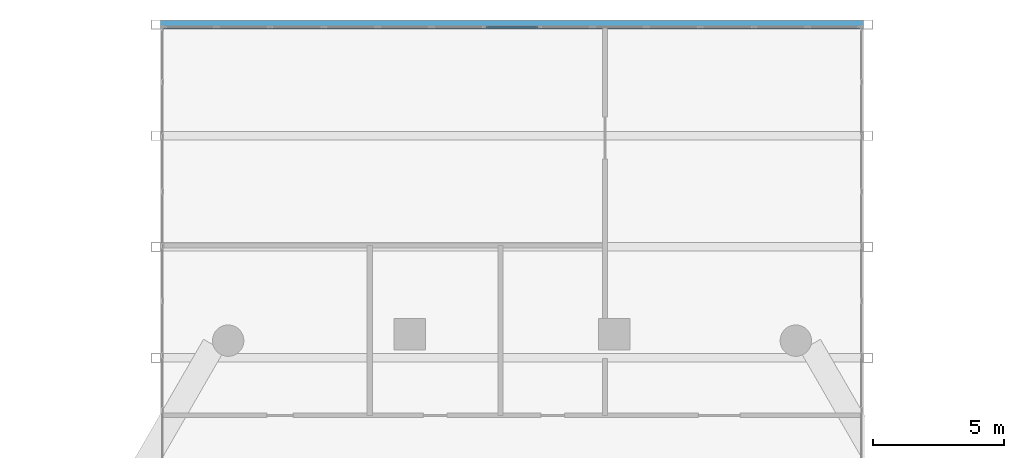
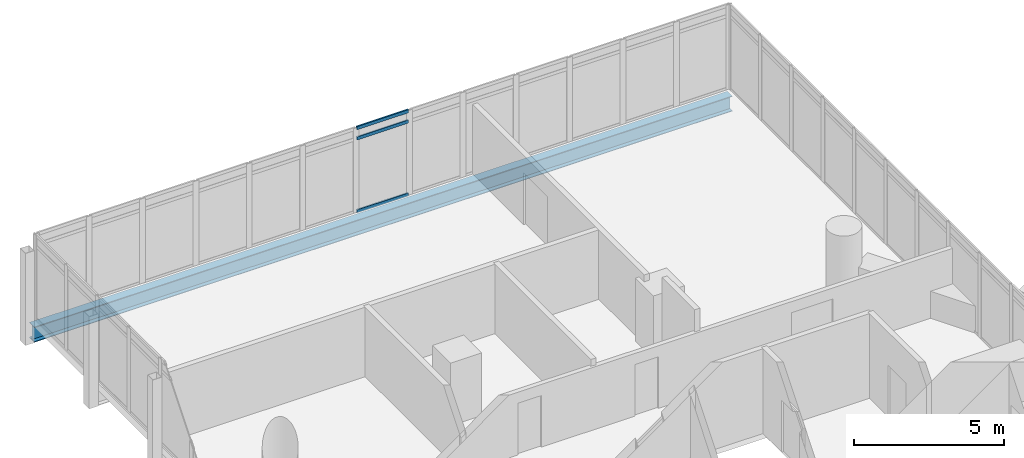
# One storey, part 16 of 28: 3 members, 1 beam, 1 element without a shape of its own.
"""IFC4 building model written with IfcOpenShell, lengths in metres."""

from ifc_helpers import new_model, si_unit, direction, frame, origin, origin_2d, place, context, subcontext, project, spatial, hollow_rectangle, i_section, extrude, material, material_profile, profile_set, type_object, element, aggregate, save


model = new_model("IFC4")

# Units and contexts
model_context = context("Model", 3, precision=1e-05, world=origin(), true_north=direction((0.0, 1.0)))
body_context = subcontext(model_context, "Body", "Model", "MODEL_VIEW")
ifc_project = project(units=[si_unit("LENGTHUNIT", "METRE"), si_unit("AREAUNIT", "SQUARE_METRE"), si_unit("VOLUMEUNIT", "CUBIC_METRE"), si_unit("PLANEANGLEUNIT", "RADIAN"), si_unit("MASSUNIT", "GRAM", prefix="KILO")], contexts=[model_context])

# Site, building, storey
site_placement = place(None, origin())
site = spatial("IfcSite", under=ifc_project, at=site_placement, CompositionType="ELEMENT")
building_placement = place(site_placement, origin())
building = spatial("IfcBuilding", under=site, at=building_placement, Name="Ostrander Bayou Hotel Tower", CompositionType="ELEMENT")
storey_placement = place(building_placement, frame((0.0, 0.0, 100.5)))
storey = spatial("IfcBuildingStorey", under=building, at=storey_placement, Name="L25", CompositionType="ELEMENT", Elevation=100.5)

# Curtain wall, members
ifc_material_1 = material(Name="Aluminium and clear glass", Category="aluminium")
curtain_wall_type = type_object("IfcCurtainWallType", Name="CW-BAR glazed wall", PredefinedType="NOTDEFINED", material=ifc_material_1)
curtain_wall_placement = place(storey_placement, origin())
curtain_wall = element("IfcCurtainWall", 1, at=curtain_wall_placement, inside=storey, type_object=curtain_wall_type, Name="CW-BAR L25:SB2N:T", PredefinedType="NOTDEFINED")
ifc_material_2 = material(Name="Aluminium", Category="aluminium")
ifc_material_profile_1 = material_profile(ifc_material_2, hollow_rectangle(XDim=0.06005859375, YDim=0.1298828125, WallThickness=0.00390625, at=origin_2d()))
ifc_profile_set_1 = profile_set([ifc_material_profile_1], Name="Aluminium")
member_type = type_object("IfcMemberType", Name="CW-BR transom 60 x 130 mm", PredefinedType="USERDEFINED", material=ifc_profile_set_1)
member_1_placement = place(storey_placement, frame((-0.998291015625, 31.4453125, 0.030029296875), z_axis=(1.0, 0.0, 0.0), x_axis=(0.0, 1.0, 0.0)))
member_1 = element("IfcMember", 2, at=member_1_placement, type_object=member_type, Name="CW-BAR transom 7.1", ObjectType="TRANSOM", PredefinedType="USERDEFINED", context=body_context, shape_type="SweptSolid", body=[
    extrude(hollow_rectangle(XDim=0.06005859375, YDim=0.1298828125, WallThickness=0.00390625, at=origin_2d()), origin(), (0.0, 0.0, 1.0), 1.99658203125),
])
member_2_placement = place(storey_placement, frame((-0.998291015625, 31.4453125, 3.0), z_axis=(1.0, 0.0, 0.0), x_axis=(0.0, 1.0, 0.0)))
member_2 = element("IfcMember", 3, at=member_2_placement, type_object=member_type, Name="CW-BAR transom 7.2", ObjectType="TRANSOM", PredefinedType="USERDEFINED", context=body_context, shape_type="SweptSolid", body=[
    extrude(hollow_rectangle(XDim=0.06005859375, YDim=0.1298828125, WallThickness=0.00390625, at=origin_2d()), origin(), (0.0, 0.0, 1.0), 1.99658203125),
])
member_3_placement = place(storey_placement, frame((-0.998291015625, 31.4453125, 3.419921875), z_axis=(1.0, 0.0, 0.0), x_axis=(0.0, 1.0, 0.0)))
member_3 = element("IfcMember", 4, at=member_3_placement, type_object=member_type, Name="CW-BAR transom 7.3", ObjectType="TRANSOM", PredefinedType="USERDEFINED", context=body_context, shape_type="SweptSolid", body=[
    extrude(hollow_rectangle(XDim=0.06005859375, YDim=0.1298828125, WallThickness=0.00390625, at=origin_2d()), origin(), (0.0, 0.0, 1.0), 1.99658203125),
])
aggregate(curtain_wall, [member_1, member_2, member_3])

# Beam
ifc_material_3 = material(Name="Steel ASTM A992", Category="steel")
ifc_material_profile_2 = material_profile(ifc_material_3, i_section(OverallWidth=0.32763671875, OverallDepth=0.621826171875, WebThickness=0.015380859375, FlangeThickness=0.0244140625, at=origin_2d()))
ifc_profile_set_2 = profile_set([ifc_material_profile_2], Name="Steel ASTM A992")
beam_type = type_object("IfcBeamType", Name="TF1 bar floor beam W24x131", PredefinedType="BEAM", material=ifc_profile_set_2)
beam_placement = place(storey_placement, frame((-13.442138671875, 31.54541015625, -0.61083984375), z_axis=(1.0, 0.0, 0.0), x_axis=(0.0, 1.0, 0.0)))
element("IfcBeam", 5, at=beam_placement, inside=storey, type_object=beam_type, Name="TF1 SB2W L3-1", PredefinedType="BEAM", context=body_context, shape_type="SweptSolid", body=[
    extrude(i_section(OverallWidth=0.32763671875, OverallDepth=0.621826171875, WebThickness=0.015380859375, FlangeThickness=0.0244140625, at=origin_2d()), origin(), (0.0, 0.0, 1.0), 26.88427734375),
])

save(model, "model.ifc")
